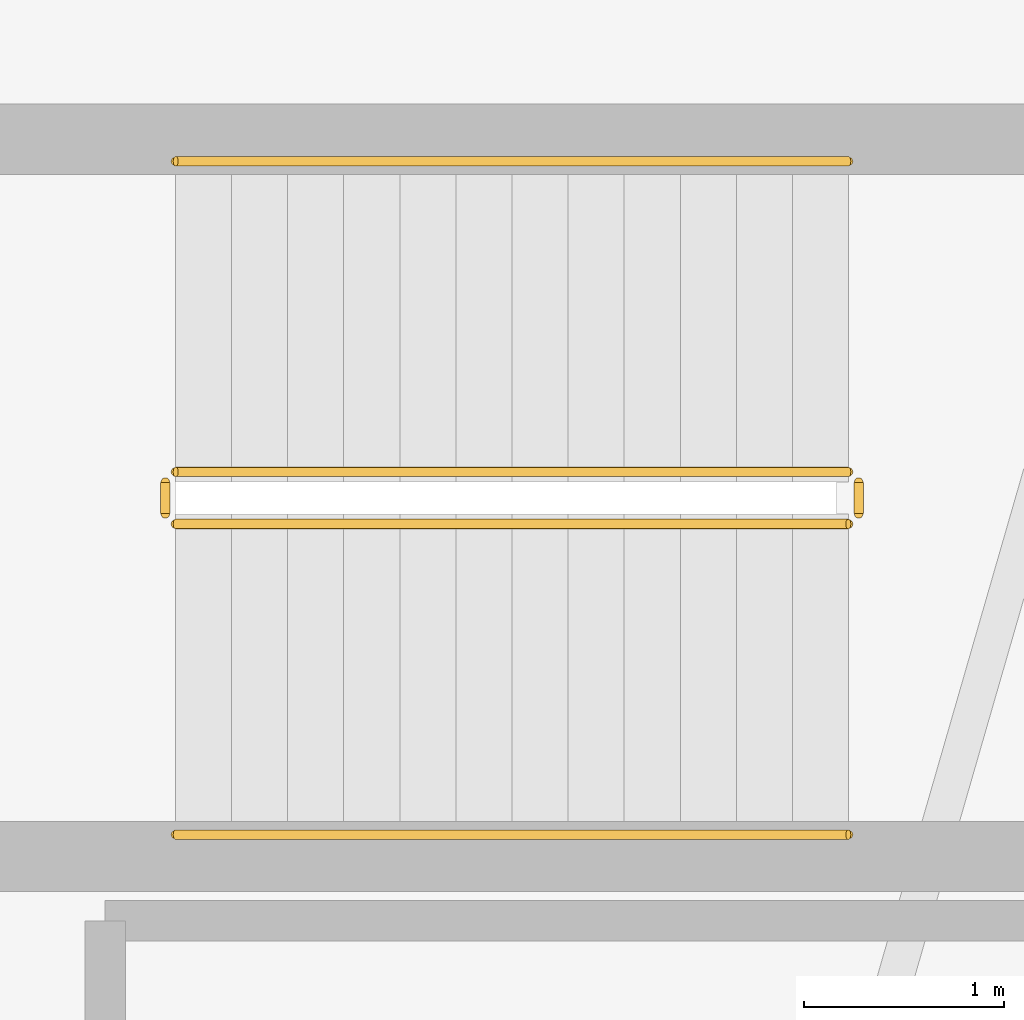
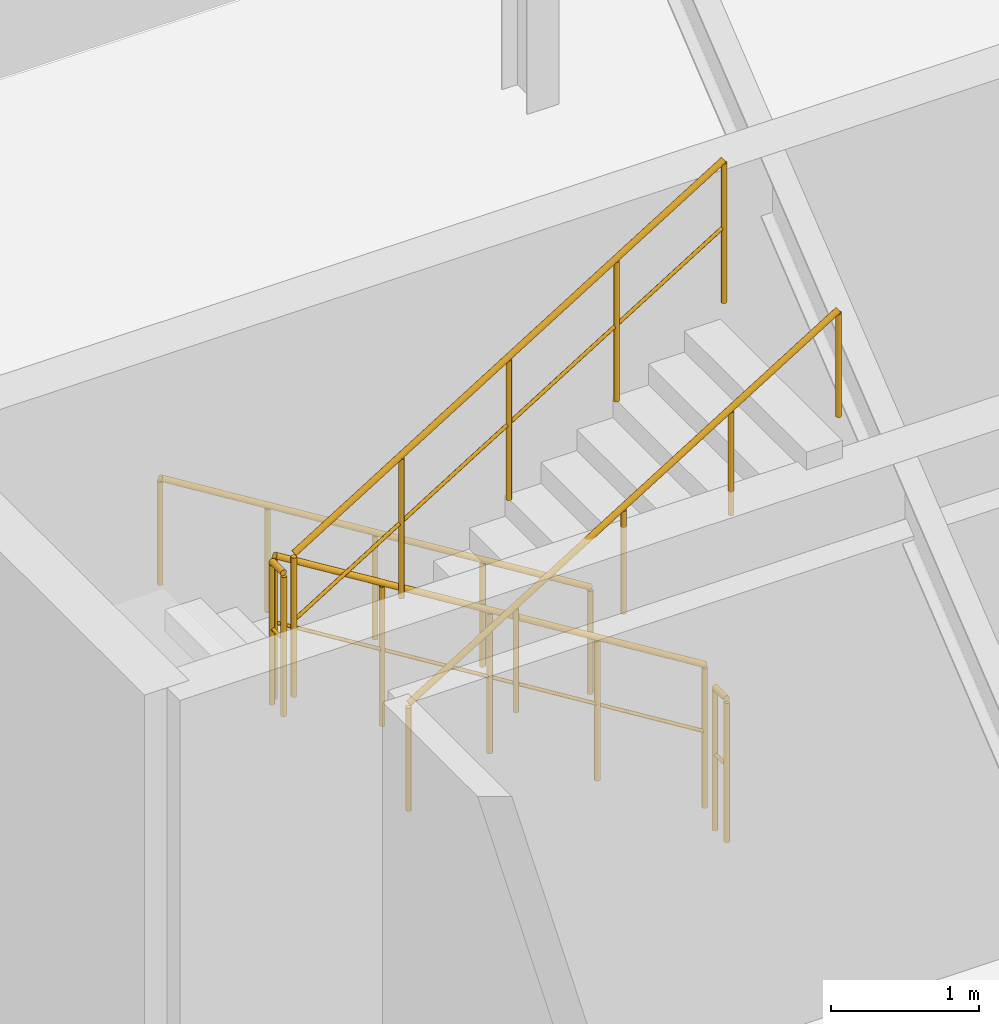
# One storey, part 31 of 32: 6 railings.
"""IFC4 building model written with IfcOpenShell, lengths in metres."""

from ifc_helpers import new_model, si_unit, direction, frame, origin, origin_2d, place, context, subcontext, project, spatial, circle, extrude, material, type_object, element, save


model = new_model("IFC4")

# Units and contexts
model_context = context("Model", 3, precision=1e-05, world=origin(), true_north=direction((0.0, 1.0)))
body_context = subcontext(model_context, "Body", "Model", "MODEL_VIEW")
ifc_project = project(units=[si_unit("LENGTHUNIT", "METRE"), si_unit("AREAUNIT", "SQUARE_METRE"), si_unit("VOLUMEUNIT", "CUBIC_METRE"), si_unit("PLANEANGLEUNIT", "RADIAN"), si_unit("MASSUNIT", "GRAM", prefix="KILO")], contexts=[model_context])

# Site, building, storey
site_placement = place(None, origin())
site = spatial("IfcSite", under=ifc_project, at=site_placement, CompositionType="ELEMENT")
building_placement = place(site_placement, origin())
building = spatial("IfcBuilding", under=site, at=building_placement, Name="Sahyath Konkavel Grand Hotel", CompositionType="ELEMENT")
storey_placement = place(building_placement, frame((0.0, 0.0, 14.10009765625)))
storey = spatial("IfcBuildingStorey", under=building, at=storey_placement, Name="L03", CompositionType="ELEMENT", Elevation=14.10009765625)

# Railings
ifc_material_1 = material(Name="Steel E350", Category="steel")
railing_type_1 = type_object("IfcRailingType", Name="RLG-STAIR-GRD", PredefinedType="GUARDRAIL", material=ifc_material_1)
railing_1_placement = place(storey_placement, frame((-21.2900390625, 12.43994140625, 0.173095703125)))
element("IfcRailing", 1, at=railing_1_placement, inside=storey, type_object=railing_type_1, Name="L03 ST-P1 stair guard 1", PredefinedType="GUARDRAIL", context=body_context, shape_type="SweptSolid", body=[
    extrude(circle(Radius=0.02392578125, at=origin_2d()), frame((-0.001708984375, 0.0, 1.177001953125), z_axis=(-0.850606129759, 0.0, 0.525803396734), x_axis=(0.0, -1.0, 0.0)), (0.0, 0.0, 1.0), 3.946044921875),
    extrude(circle(Radius=0.01416015625, at=origin_2d()), frame((-0.001708984375, 0.0, 0.625), z_axis=(-0.850606129759, 0.0, 0.525803396734), x_axis=(0.0, -1.0, 0.0)), (0.0, 0.0, 1.0), 3.946044921875),
    extrude(circle(Radius=0.02099609375, at=origin_2d()), origin(), (0.0, 0.0, 1.0), 1.15185546875),
    extrude(circle(Radius=0.02099609375, at=origin_2d()), frame((-0.83984375, 0.0, 0.519287109375)), (0.0, 0.0, 1.0), 1.15185546875),
    extrude(circle(Radius=0.02099609375, at=origin_2d()), frame((-1.679931640625, 0.0, 1.03857421875)), (0.0, 0.0, 1.0), 1.15185546875),
    extrude(circle(Radius=0.02099609375, at=origin_2d()), frame((-2.52001953125, 0.0, 1.5576171875)), (0.0, 0.0, 1.0), 1.15185546875),
    extrude(circle(Radius=0.02099609375, at=origin_2d()), frame((-3.35986328125, 0.0, 2.076904296875)), (0.0, 0.0, 1.0), 1.15185546875),
])
railing_2_placement = place(storey_placement, frame((-24.699951171875, 12.389892578125, 2.25)))
element("IfcRailing", 2, at=railing_2_placement, inside=storey, type_object=railing_type_1, Name="L03 ST-P1 stair guard 2", PredefinedType="GUARDRAIL", context=body_context, shape_type="SweptSolid", body=[
    extrude(circle(Radius=0.02392578125, at=origin_2d()), frame((0.0, -0.001953125, 1.17578125), z_axis=(0.0, -1.0, 0.0), x_axis=(1.0, 0.0, 0.0)), (0.0, 0.0, 1.0), 0.156005859375),
    extrude(circle(Radius=0.01416015625, at=origin_2d()), frame((0.0, -0.001953125, 0.6240234375), z_axis=(0.0, -1.0, 0.0), x_axis=(1.0, 0.0, 0.0)), (0.0, 0.0, 1.0), 0.156005859375),
    extrude(circle(Radius=0.02099609375, at=origin_2d()), origin(), (0.0, 0.0, 1.0), 1.15185546875),
    extrude(circle(Radius=0.02099609375, at=origin_2d()), frame((0.0, -0.159912109375, 0.0)), (0.0, 0.0, 1.0), 1.15185546875),
])
railing_3_placement = place(storey_placement, frame((-24.64990234375, 12.179931640625, 2.423095703125)))
element("IfcRailing", 3, at=railing_3_placement, inside=storey, type_object=railing_type_1, Name="L03 ST-P1 stair guard 3", PredefinedType="GUARDRAIL", context=body_context, shape_type="SweptSolid", body=[
    extrude(circle(Radius=0.02392578125, at=origin_2d()), frame((0.001708984375, 0.0, 1.177001953125), z_axis=(0.850606129759, 0.0, 0.525803396734), x_axis=(0.0, 1.0, 0.0)), (0.0, 0.0, 1.0), 3.946044921875),
    extrude(circle(Radius=0.01416015625, at=origin_2d()), frame((0.001708984375, 0.0, 0.625), z_axis=(0.850606129759, 0.0, 0.525803396734), x_axis=(0.0, 1.0, 0.0)), (0.0, 0.0, 1.0), 3.946044921875),
    extrude(circle(Radius=0.02099609375, at=origin_2d()), origin(), (0.0, 0.0, 1.0), 1.15185546875),
    extrude(circle(Radius=0.02099609375, at=origin_2d()), frame((0.83984375, 0.0, 0.519287109375)), (0.0, 0.0, 1.0), 1.15185546875),
    extrude(circle(Radius=0.02099609375, at=origin_2d()), frame((1.679931640625, 0.0, 1.03857421875)), (0.0, 0.0, 1.0), 1.15185546875),
    extrude(circle(Radius=0.02099609375, at=origin_2d()), frame((2.52001953125, 0.0, 1.5576171875)), (0.0, 0.0, 1.0), 1.15185546875),
    extrude(circle(Radius=0.02099609375, at=origin_2d()), frame((3.35986328125, 0.0, 2.076904296875)), (0.0, 0.0, 1.0), 1.15185546875),
])
railing_4_placement = place(storey_placement, frame((-21.239990234375, 12.389892578125, 0.0)))
element("IfcRailing", 4, at=railing_4_placement, inside=storey, type_object=railing_type_1, Name="L03 ST-P1 stair guard 4", PredefinedType="GUARDRAIL", context=body_context, shape_type="SweptSolid", body=[
    extrude(circle(Radius=0.02392578125, at=origin_2d()), frame((0.0, -0.001953125, 1.17578125), z_axis=(0.0, -1.0, 0.0), x_axis=(1.0, 0.0, 0.0)), (0.0, 0.0, 1.0), 0.156005859375),
    extrude(circle(Radius=0.01416015625, at=origin_2d()), frame((0.0, -0.001953125, 0.6240234375), z_axis=(0.0, -1.0, 0.0), x_axis=(1.0, 0.0, 0.0)), (0.0, 0.0, 1.0), 0.156005859375),
    extrude(circle(Radius=0.02099609375, at=origin_2d()), origin(), (0.0, 0.0, 1.0), 1.15185546875),
    extrude(circle(Radius=0.02099609375, at=origin_2d()), frame((0.0, -0.159912109375, 0.0)), (0.0, 0.0, 1.0), 1.15185546875),
])
ifc_material_2 = material(Name="Anodised Bronze Aluminium", Category="aluminium")
railing_type_2 = type_object("IfcRailingType", Name="RLG-STAIR-HND", PredefinedType="HANDRAIL", material=ifc_material_2)
railing_5_placement = place(storey_placement, frame((-21.2900390625, 13.989990234375, 0.173095703125)))
element("IfcRailing", 5, at=railing_5_placement, inside=storey, type_object=railing_type_2, Name="L03 ST-P1 stair handrail 1", PredefinedType="HANDRAIL", context=body_context, shape_type="SweptSolid", body=[
    extrude(circle(Radius=0.02392578125, at=origin_2d()), frame((-0.001708984375, 0.0, 0.876953125), z_axis=(-0.850606129759, 0.0, 0.525803396734), x_axis=(0.0, -1.0, 0.0)), (0.0, 0.0, 1.0), 3.946044921875),
    extrude(circle(Radius=0.02099609375, at=origin_2d()), origin(), (0.0, 0.0, 1.0), 0.851806640625),
    extrude(circle(Radius=0.02099609375, at=origin_2d()), frame((-0.83984375, 0.0, 0.519287109375)), (0.0, 0.0, 1.0), 0.851806640625),
    extrude(circle(Radius=0.02099609375, at=origin_2d()), frame((-1.679931640625, 0.0, 1.03857421875)), (0.0, 0.0, 1.0), 0.851806640625),
    extrude(circle(Radius=0.02099609375, at=origin_2d()), frame((-2.52001953125, 0.0, 1.5576171875)), (0.0, 0.0, 1.0), 0.851806640625),
    extrude(circle(Radius=0.02099609375, at=origin_2d()), frame((-3.35986328125, 0.0, 2.076904296875)), (0.0, 0.0, 1.0), 0.851806640625),
])
railing_6_placement = place(storey_placement, frame((-24.64990234375, 10.6298828125, 2.423095703125)))
element("IfcRailing", 6, at=railing_6_placement, inside=storey, type_object=railing_type_2, Name="L03 ST-P1 stair handrail 2", PredefinedType="HANDRAIL", context=body_context, shape_type="SweptSolid", body=[
    extrude(circle(Radius=0.02392578125, at=origin_2d()), frame((0.001708984375, 0.0, 0.876953125), z_axis=(0.850606129759, 0.0, 0.525803396734), x_axis=(0.0, 1.0, 0.0)), (0.0, 0.0, 1.0), 3.946044921875),
    extrude(circle(Radius=0.02099609375, at=origin_2d()), origin(), (0.0, 0.0, 1.0), 0.851806640625),
    extrude(circle(Radius=0.02099609375, at=origin_2d()), frame((0.83984375, 0.0, 0.519287109375)), (0.0, 0.0, 1.0), 0.851806640625),
    extrude(circle(Radius=0.02099609375, at=origin_2d()), frame((1.679931640625, 0.0, 1.03857421875)), (0.0, 0.0, 1.0), 0.851806640625),
    extrude(circle(Radius=0.02099609375, at=origin_2d()), frame((2.52001953125, 0.0, 1.5576171875)), (0.0, 0.0, 1.0), 0.851806640625),
    extrude(circle(Radius=0.02099609375, at=origin_2d()), frame((3.35986328125, 0.0, 2.076904296875)), (0.0, 0.0, 1.0), 0.851806640625),
])

save(model, "model.ifc")
